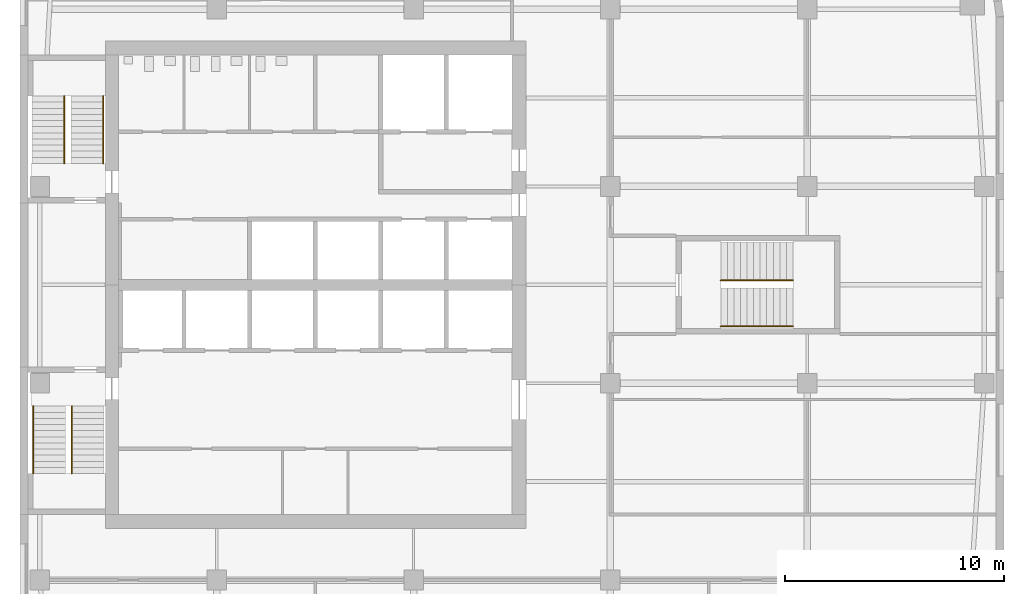
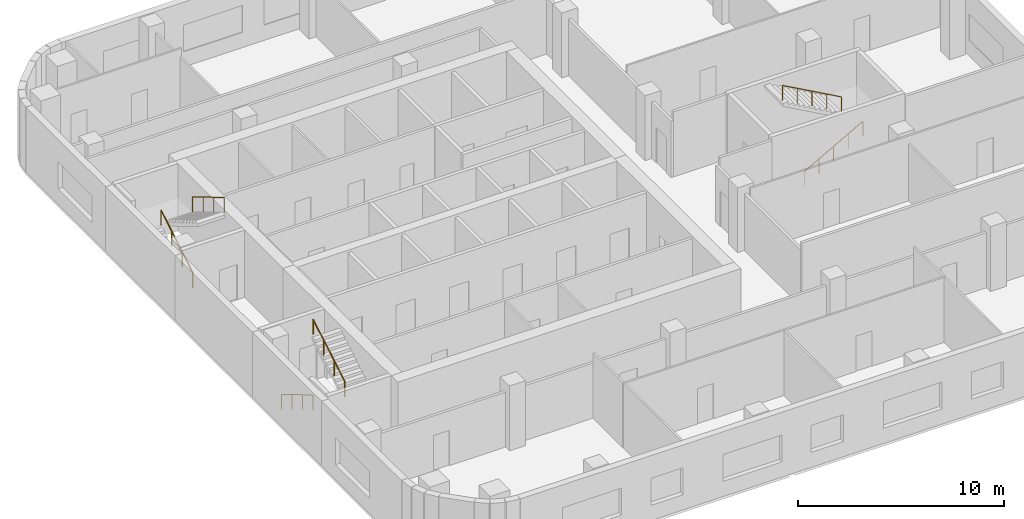
# One storey, part 7 of 8: 6 railings, 3 elements without a shape of their own.
"""IFC4 building model written with IfcOpenShell, lengths in metres."""

from ifc_helpers import new_model, si_unit, direction, frame, origin, origin_2d, place, context, subcontext, project, spatial, circle, extrude, material, type_object, element, aggregate, save


model = new_model("IFC4")

# Units and contexts
model_context = context("Model", 3, precision=1e-05, world=origin(), true_north=direction((0.0, 1.0)))
body_context = subcontext(model_context, "Body", "Model", "MODEL_VIEW")
ifc_project = project(units=[si_unit("LENGTHUNIT", "METRE"), si_unit("AREAUNIT", "SQUARE_METRE"), si_unit("VOLUMEUNIT", "CUBIC_METRE"), si_unit("PLANEANGLEUNIT", "RADIAN"), si_unit("MASSUNIT", "GRAM", prefix="KILO")], contexts=[model_context])

# Site, building, storey
site_placement = place(None, origin())
site = spatial("IfcSite", under=ifc_project, at=site_placement, CompositionType="ELEMENT")
building_placement = place(site_placement, origin())
building = spatial("IfcBuilding", under=site, at=building_placement, Name="Cinnabar Reach Civic Tower", CompositionType="ELEMENT")
storey_placement = place(building_placement, frame((0.0, 0.0, 161.0)))
storey = spatial("IfcBuildingStorey", under=building, at=storey_placement, Name="L38", CompositionType="ELEMENT", Elevation=161.0)

# Stair, railings
ifc_material_1 = material(Name="Concrete C40/50", Category="concrete")
stair_type = type_object("IfcStairType", Name="T1 Exit stair, half-turn", PredefinedType="HALF_TURN_STAIR", material=ifc_material_1)
stair_1_placement = place(storey_placement, origin())
stair_1 = element("IfcStair", 1, at=stair_1_placement, inside=storey, type_object=stair_type, Name="Stair T1-S1", PredefinedType="HALF_TURN_STAIR")
ifc_material_2 = material(Name="Stainless steel tube", Category="steel")
railing_type = type_object("IfcRailingType", Name="T1 Stair handrail, stainless tube 48", PredefinedType="HANDRAIL", material=ifc_material_2)
railing_1_placement = place(storey_placement, frame((0.6, 25.95, 0.1667)))
railing_1 = element("IfcRailing", 2, at=railing_1_placement, type_object=railing_type, Name="T1-S1 handrail 1", PredefinedType="HANDRAIL", context=body_context, shape_type="SweptSolid", body=[
    extrude(circle(Radius=0.024, at=origin_2d()), frame((0.0, 0.0, 0.876), z_axis=(0.0, -0.859296971757, 0.511476992962), x_axis=(1.0, 0.0, 0.0)), (0.0, 0.0, 1.0), 3.5843),
    extrude(circle(Radius=0.021, at=origin_2d()), origin(), (0.0, 0.0, 1.0), 0.852),
    extrude(circle(Radius=0.021, at=origin_2d()), frame((0.0, -1.0267, 0.6111)), (0.0, 0.0, 1.0), 0.852),
    extrude(circle(Radius=0.021, at=origin_2d()), frame((0.0, -2.0533, 1.2222)), (0.0, 0.0, 1.0), 0.852),
    extrude(circle(Radius=0.021, at=origin_2d()), frame((0.0, -3.08, 1.8333)), (0.0, 0.0, 1.0), 0.852),
])
railing_2_placement = place(storey_placement, frame((2.375, 22.87, 2.1667)))
railing_2 = element("IfcRailing", 3, at=railing_2_placement, type_object=railing_type, Name="T1-S1 handrail 2", PredefinedType="HANDRAIL", context=body_context, shape_type="SweptSolid", body=[
    extrude(circle(Radius=0.024, at=origin_2d()), frame((0.0, 0.0, 0.876), z_axis=(0.0, 0.859296971757, 0.511476992962), x_axis=(-1.0, 0.0, 0.0)), (0.0, 0.0, 1.0), 3.5843),
    extrude(circle(Radius=0.021, at=origin_2d()), origin(), (0.0, 0.0, 1.0), 0.852),
    extrude(circle(Radius=0.021, at=origin_2d()), frame((0.0, 1.0267, 0.6111)), (0.0, 0.0, 1.0), 0.852),
    extrude(circle(Radius=0.021, at=origin_2d()), frame((0.0, 2.0533, 1.2222)), (0.0, 0.0, 1.0), 0.852),
    extrude(circle(Radius=0.021, at=origin_2d()), frame((0.0, 3.08, 1.8333)), (0.0, 0.0, 1.0), 0.852),
])
aggregate(stair_1, [railing_1, railing_2])

stair_2_placement = place(storey_placement, origin())
stair_2 = element("IfcStair", 4, at=stair_2_placement, inside=storey, type_object=stair_type, Name="Stair T1-S2", PredefinedType="HALF_TURN_STAIR")
railing_3_placement = place(storey_placement, frame((2.025, 37.05, 0.1667)))
railing_3 = element("IfcRailing", 5, at=railing_3_placement, type_object=railing_type, Name="T1-S2 handrail 1", PredefinedType="HANDRAIL", context=body_context, shape_type="SweptSolid", body=[
    extrude(circle(Radius=0.024, at=origin_2d()), frame((0.0, 0.0, 0.876), z_axis=(0.0, 0.859296971757, 0.511476992962), x_axis=(-1.0, 0.0, 0.0)), (0.0, 0.0, 1.0), 3.5843),
    extrude(circle(Radius=0.021, at=origin_2d()), origin(), (0.0, 0.0, 1.0), 0.852),
    extrude(circle(Radius=0.021, at=origin_2d()), frame((0.0, 1.0267, 0.6111)), (0.0, 0.0, 1.0), 0.852),
    extrude(circle(Radius=0.021, at=origin_2d()), frame((0.0, 2.0533, 1.2222)), (0.0, 0.0, 1.0), 0.852),
    extrude(circle(Radius=0.021, at=origin_2d()), frame((0.0, 3.08, 1.8333)), (0.0, 0.0, 1.0), 0.852),
])
railing_4_placement = place(storey_placement, frame((3.8, 40.13, 2.1667)))
railing_4 = element("IfcRailing", 6, at=railing_4_placement, type_object=railing_type, Name="T1-S2 handrail 2", PredefinedType="HANDRAIL", context=body_context, shape_type="SweptSolid", body=[
    extrude(circle(Radius=0.024, at=origin_2d()), frame((0.0, 0.0, 0.876), z_axis=(0.0, -0.859296971757, 0.511476992962), x_axis=(1.0, 0.0, 0.0)), (0.0, 0.0, 1.0), 3.5843),
    extrude(circle(Radius=0.021, at=origin_2d()), origin(), (0.0, 0.0, 1.0), 0.852),
    extrude(circle(Radius=0.021, at=origin_2d()), frame((0.0, -1.0267, 0.6111)), (0.0, 0.0, 1.0), 0.852),
    extrude(circle(Radius=0.021, at=origin_2d()), frame((0.0, -2.0533, 1.2222)), (0.0, 0.0, 1.0), 0.852),
    extrude(circle(Radius=0.021, at=origin_2d()), frame((0.0, -3.08, 1.8333)), (0.0, 0.0, 1.0), 0.852),
])
aggregate(stair_2, [railing_3, railing_4])

stair_3_placement = place(storey_placement, origin())
stair_3 = element("IfcStair", 7, at=stair_3_placement, inside=storey, type_object=stair_type, Name="Stair T1-S3", PredefinedType="HALF_TURN_STAIR")
railing_5_placement = place(storey_placement, frame((32.05, 29.6, 0.1667)))
railing_5 = element("IfcRailing", 8, at=railing_5_placement, type_object=railing_type, Name="T1-S3 handrail 1", PredefinedType="HANDRAIL", context=body_context, shape_type="SweptSolid", body=[
    extrude(circle(Radius=0.024, at=origin_2d()), frame((0.0, 0.0, 0.876), z_axis=(0.874161024642, 0.0, 0.485636183781), x_axis=(0.0, 1.0, 0.0)), (0.0, 0.0, 1.0), 3.775),
    extrude(circle(Radius=0.021, at=origin_2d()), origin(), (0.0, 0.0, 1.0), 0.852),
    extrude(circle(Radius=0.021, at=origin_2d()), frame((0.825, 0.0, 0.4583)), (0.0, 0.0, 1.0), 0.852),
    extrude(circle(Radius=0.021, at=origin_2d()), frame((1.65, 0.0, 0.9167)), (0.0, 0.0, 1.0), 0.852),
    extrude(circle(Radius=0.021, at=origin_2d()), frame((2.475, 0.0, 1.375)), (0.0, 0.0, 1.0), 0.852),
    extrude(circle(Radius=0.021, at=origin_2d()), frame((3.3, 0.0, 1.8333)), (0.0, 0.0, 1.0), 0.852),
])
railing_6_placement = place(storey_placement, frame((35.35, 31.7, 2.1667)))
railing_6 = element("IfcRailing", 9, at=railing_6_placement, type_object=railing_type, Name="T1-S3 handrail 2", PredefinedType="HANDRAIL", context=body_context, shape_type="SweptSolid", body=[
    extrude(circle(Radius=0.024, at=origin_2d()), frame((0.0, 0.0, 0.876), z_axis=(-0.874161024642, 0.0, 0.485636183781), x_axis=(0.0, -1.0, 0.0)), (0.0, 0.0, 1.0), 3.775),
    extrude(circle(Radius=0.021, at=origin_2d()), origin(), (0.0, 0.0, 1.0), 0.852),
    extrude(circle(Radius=0.021, at=origin_2d()), frame((-0.825, 0.0, 0.4583)), (0.0, 0.0, 1.0), 0.852),
    extrude(circle(Radius=0.021, at=origin_2d()), frame((-1.65, 0.0, 0.9167)), (0.0, 0.0, 1.0), 0.852),
    extrude(circle(Radius=0.021, at=origin_2d()), frame((-2.475, 0.0, 1.375)), (0.0, 0.0, 1.0), 0.852),
    extrude(circle(Radius=0.021, at=origin_2d()), frame((-3.3, 0.0, 1.8333)), (0.0, 0.0, 1.0), 0.852),
])
aggregate(stair_3, [railing_5, railing_6])

save(model, "model.ifc")
